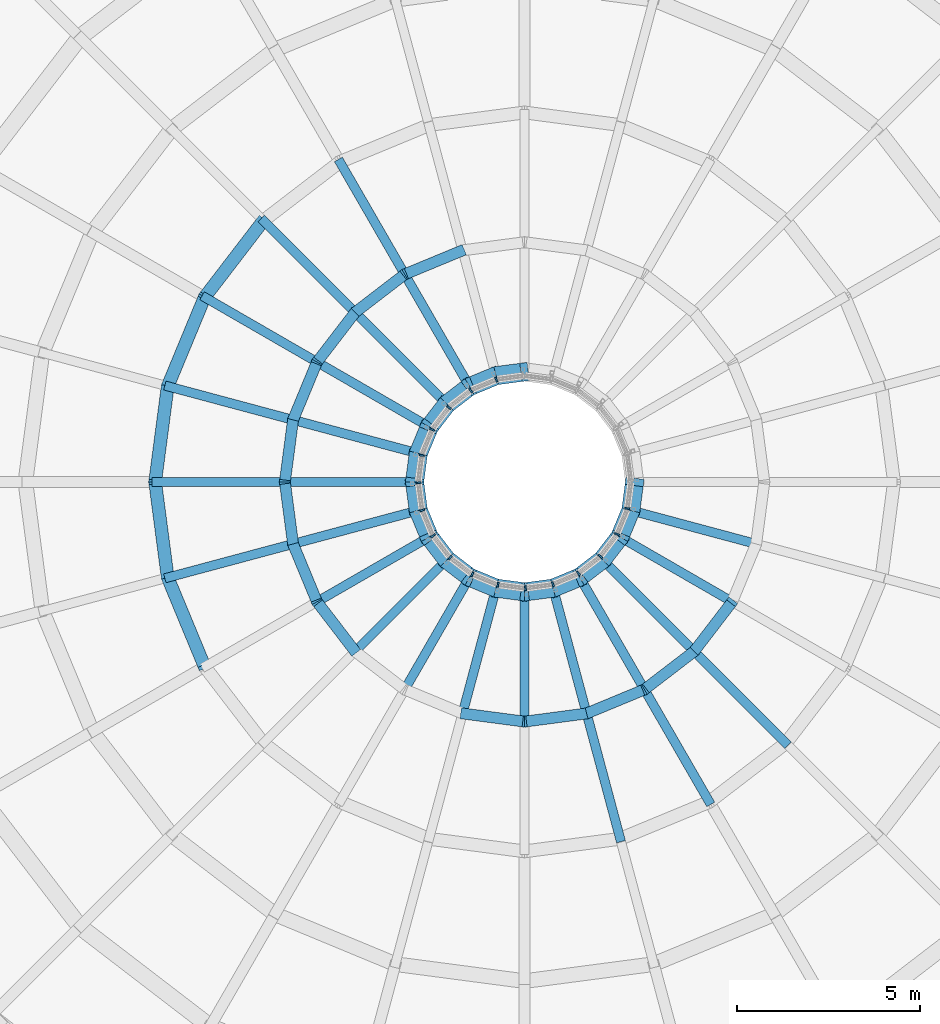
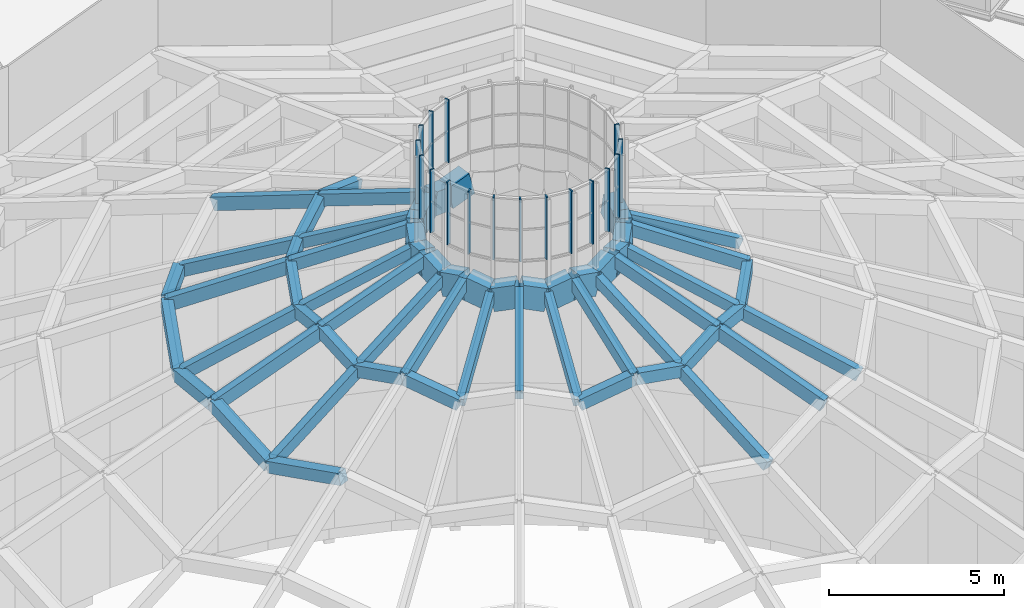
# One storey, part 12 of 82: 61 beams, 17 members, 17 elements without a shape of their own.
"""IFC4 building model written with IfcOpenShell, lengths in metres."""

from ifc_helpers import new_model, si_unit, direction, frame, origin, origin_2d, place, context, subcontext, project, spatial, rectangle, extrude, material, layer, layer_set, material_profile, profile_set, type_object, element, aggregate, save


model = new_model("IFC4")

# Units and contexts
model_context = context("Model", 3, precision=1e-05, world=origin(), true_north=direction((0.0, 1.0)))
body_context = subcontext(model_context, "Body", "Model", "MODEL_VIEW")
ifc_project = project(units=[si_unit("LENGTHUNIT", "METRE"), si_unit("AREAUNIT", "SQUARE_METRE"), si_unit("VOLUMEUNIT", "CUBIC_METRE"), si_unit("PLANEANGLEUNIT", "RADIAN"), si_unit("MASSUNIT", "GRAM", prefix="KILO")], contexts=[model_context])

# Site, building, storey
site_placement = place(None, origin())
site = spatial("IfcSite", under=ifc_project, at=site_placement, CompositionType="ELEMENT")
building_placement = place(site_placement, origin())
building = spatial("IfcBuilding", under=site, at=building_placement, Name="Volute Hill Aquarium", CompositionType="ELEMENT")
storey_placement = place(building_placement, frame((0.0, 0.0, 13.800048828125)))
storey = spatial("IfcBuildingStorey", under=building, at=storey_placement, Name="L04", CompositionType="ELEMENT", Elevation=13.800048828125)

# Curtain wall, member
ifc_material_1 = material(Name="Aluminium", Category="aluminium")
ifc_layer = layer(ifc_material_1, 0.139892578125)
ifc_layer_set = layer_set([ifc_layer], Name="Curtain wall DR lantern module 757")
curtain_wall_type = type_object("IfcCurtainWallType", Name="Curtain wall DR lantern module 757", PredefinedType="NOTDEFINED", material=ifc_layer_set)
curtain_wall_1_placement = place(storey_placement, origin())
curtain_wall_1 = element("IfcCurtainWall", 1, at=curtain_wall_1_placement, inside=storey, type_object=curtain_wall_type, Name="Curtain wall CW DR lantern l07", PredefinedType="NOTDEFINED")
ifc_material_2 = material(Name="Aluminium", Category="aluminium")
ifc_material_profile_1 = material_profile(ifc_material_2, rectangle(XDim=0.139892578125, YDim=0.050048828125, at=origin_2d()), Name="Curtain wall mullion lantern 50x140")
ifc_profile_set_1 = profile_set([ifc_material_profile_1], Name="Aluminium")
member_type = type_object("IfcMemberType", Name="Curtain wall mullion lantern 50x140", PredefinedType="MULLION", material=ifc_profile_set_1)
member_1_placement = place(storey_placement, frame((-0.773681640625, 2.791748046875, 25.16650390625), z_axis=(0.0, 0.0, 1.0), x_axis=(0.382682343719, -0.923879983442, 0.0)))
member_1 = element("IfcMember", 2, at=member_1_placement, type_object=member_type, Name="Mullion DR lantern 1", PredefinedType="MULLION", context=body_context, shape_type="SweptSolid", body=[
    extrude(rectangle(XDim=0.139892578125, YDim=0.050048828125, at=origin_2d()), origin(), (0.0, 0.0, 1.0), 2.199951171875),
])
aggregate(curtain_wall_1, [member_1])

curtain_wall_2_placement = place(storey_placement, origin())
curtain_wall_2 = element("IfcCurtainWall", 3, at=curtain_wall_2_placement, inside=storey, type_object=curtain_wall_type, Name="Curtain wall CW DR lantern l08", PredefinedType="NOTDEFINED")
member_2_placement = place(storey_placement, frame((-1.4697265625, 2.496337890625, 25.16650390625), z_axis=(0.0, 0.0, 1.0), x_axis=(0.608797519421, -0.79332564584, 0.0)))
member_2 = element("IfcMember", 4, at=member_2_placement, type_object=member_type, Name="Mullion DR lantern 1", PredefinedType="MULLION", context=body_context, shape_type="SweptSolid", body=[
    extrude(rectangle(XDim=0.139892578125, YDim=0.050048828125, at=origin_2d()), origin(), (0.0, 0.0, 1.0), 2.199951171875),
])
aggregate(curtain_wall_2, [member_2])

curtain_wall_3_placement = place(storey_placement, origin())
curtain_wall_3 = element("IfcCurtainWall", 5, at=curtain_wall_3_placement, inside=storey, type_object=curtain_wall_type, Name="Curtain wall CW DR lantern l09", PredefinedType="NOTDEFINED")
member_3_placement = place(storey_placement, frame((-2.06591796875, 2.03076171875, 25.16650390625), z_axis=(0.0, 0.0, 1.0), x_axis=(0.79332564584, -0.608797519421, 0.0)))
member_3 = element("IfcMember", 6, at=member_3_placement, type_object=member_type, Name="Mullion DR lantern 1", PredefinedType="MULLION", context=body_context, shape_type="SweptSolid", body=[
    extrude(rectangle(XDim=0.139892578125, YDim=0.050048828125, at=origin_2d()), origin(), (0.0, 0.0, 1.0), 2.199951171875),
])
aggregate(curtain_wall_3, [member_3])

curtain_wall_4_placement = place(storey_placement, origin())
curtain_wall_4 = element("IfcCurtainWall", 7, at=curtain_wall_4_placement, inside=storey, type_object=curtain_wall_type, Name="Curtain wall CW DR lantern l10", PredefinedType="NOTDEFINED")
member_4_placement = place(storey_placement, frame((-2.52099609375, 1.427001953125, 25.16650390625), z_axis=(0.0, 0.0, 1.0), x_axis=(0.923879983442, -0.382682343719, 0.0)))
member_4 = element("IfcMember", 8, at=member_4_placement, type_object=member_type, Name="Mullion DR lantern 1", PredefinedType="MULLION", context=body_context, shape_type="SweptSolid", body=[
    extrude(rectangle(XDim=0.139892578125, YDim=0.050048828125, at=origin_2d()), origin(), (0.0, 0.0, 1.0), 2.199951171875),
])
aggregate(curtain_wall_4, [member_4])

curtain_wall_5_placement = place(storey_placement, origin())
curtain_wall_5 = element("IfcCurtainWall", 9, at=curtain_wall_5_placement, inside=storey, type_object=curtain_wall_type, Name="Curtain wall CW DR lantern l11", PredefinedType="NOTDEFINED")
member_5_placement = place(storey_placement, frame((-2.804443359375, 0.725830078125, 25.16650390625), z_axis=(0.0, 0.0, 1.0), x_axis=(0.991448000232, -0.130502348011, 0.0)))
member_5 = element("IfcMember", 10, at=member_5_placement, type_object=member_type, Name="Mullion DR lantern 1", PredefinedType="MULLION", context=body_context, shape_type="SweptSolid", body=[
    extrude(rectangle(XDim=0.139892578125, YDim=0.050048828125, at=origin_2d()), origin(), (0.0, 0.0, 1.0), 2.199951171875),
])
aggregate(curtain_wall_5, [member_5])

curtain_wall_6_placement = place(storey_placement, origin())
curtain_wall_6 = element("IfcCurtainWall", 11, at=curtain_wall_6_placement, inside=storey, type_object=curtain_wall_type, Name="Curtain wall CW DR lantern l12", PredefinedType="NOTDEFINED")
member_6_placement = place(storey_placement, frame((-2.896728515625, -0.02490234375, 25.16650390625), z_axis=(0.0, 0.0, 1.0), x_axis=(0.991448000232, 0.130502348011, 0.0)))
member_6 = element("IfcMember", 12, at=member_6_placement, type_object=member_type, Name="Mullion DR lantern 1", PredefinedType="MULLION", context=body_context, shape_type="SweptSolid", body=[
    extrude(rectangle(XDim=0.139892578125, YDim=0.050048828125, at=origin_2d()), origin(), (0.0, 0.0, 1.0), 2.199951171875),
])
aggregate(curtain_wall_6, [member_6])

curtain_wall_7_placement = place(storey_placement, origin())
curtain_wall_7 = element("IfcCurtainWall", 13, at=curtain_wall_7_placement, inside=storey, type_object=curtain_wall_type, Name="Curtain wall CW DR lantern l13", PredefinedType="NOTDEFINED")
member_7_placement = place(storey_placement, frame((-2.791748046875, -0.773681640625, 25.16650390625), z_axis=(0.0, 0.0, 1.0), x_axis=(0.923879983442, 0.382682343719, 0.0)))
member_7 = element("IfcMember", 14, at=member_7_placement, type_object=member_type, Name="Mullion DR lantern 1", PredefinedType="MULLION", context=body_context, shape_type="SweptSolid", body=[
    extrude(rectangle(XDim=0.139892578125, YDim=0.050048828125, at=origin_2d()), origin(), (0.0, 0.0, 1.0), 2.199951171875),
])
aggregate(curtain_wall_7, [member_7])

curtain_wall_8_placement = place(storey_placement, origin())
curtain_wall_8 = element("IfcCurtainWall", 15, at=curtain_wall_8_placement, inside=storey, type_object=curtain_wall_type, Name="Curtain wall CW DR lantern l14", PredefinedType="NOTDEFINED")
member_8_placement = place(storey_placement, frame((-2.496337890625, -1.4697265625, 25.16650390625), z_axis=(0.0, 0.0, 1.0), x_axis=(0.79332564584, 0.608797519421, 0.0)))
member_8 = element("IfcMember", 16, at=member_8_placement, type_object=member_type, Name="Mullion DR lantern 1", PredefinedType="MULLION", context=body_context, shape_type="SweptSolid", body=[
    extrude(rectangle(XDim=0.139892578125, YDim=0.050048828125, at=origin_2d()), origin(), (0.0, 0.0, 1.0), 2.199951171875),
])
aggregate(curtain_wall_8, [member_8])

curtain_wall_9_placement = place(storey_placement, origin())
curtain_wall_9 = element("IfcCurtainWall", 17, at=curtain_wall_9_placement, inside=storey, type_object=curtain_wall_type, Name="Curtain wall CW DR lantern l15", PredefinedType="NOTDEFINED")
member_9_placement = place(storey_placement, frame((-2.03076171875, -2.06591796875, 25.16650390625), z_axis=(0.0, 0.0, 1.0), x_axis=(0.608797519421, 0.79332564584, 0.0)))
member_9 = element("IfcMember", 18, at=member_9_placement, type_object=member_type, Name="Mullion DR lantern 1", PredefinedType="MULLION", context=body_context, shape_type="SweptSolid", body=[
    extrude(rectangle(XDim=0.139892578125, YDim=0.050048828125, at=origin_2d()), origin(), (0.0, 0.0, 1.0), 2.199951171875),
])
aggregate(curtain_wall_9, [member_9])

curtain_wall_10_placement = place(storey_placement, origin())
curtain_wall_10 = element("IfcCurtainWall", 19, at=curtain_wall_10_placement, inside=storey, type_object=curtain_wall_type, Name="Curtain wall CW DR lantern l16", PredefinedType="NOTDEFINED")
member_10_placement = place(storey_placement, frame((-1.427001953125, -2.52099609375, 25.16650390625), z_axis=(0.0, 0.0, 1.0), x_axis=(0.382682343719, 0.923879983442, 0.0)))
member_10 = element("IfcMember", 20, at=member_10_placement, type_object=member_type, Name="Mullion DR lantern 1", PredefinedType="MULLION", context=body_context, shape_type="SweptSolid", body=[
    extrude(rectangle(XDim=0.139892578125, YDim=0.050048828125, at=origin_2d()), origin(), (0.0, 0.0, 1.0), 2.199951171875),
])
aggregate(curtain_wall_10, [member_10])

curtain_wall_11_placement = place(storey_placement, origin())
curtain_wall_11 = element("IfcCurtainWall", 21, at=curtain_wall_11_placement, inside=storey, type_object=curtain_wall_type, Name="Curtain wall CW DR lantern l17", PredefinedType="NOTDEFINED")
member_11_placement = place(storey_placement, frame((-0.725830078125, -2.804443359375, 25.16650390625), z_axis=(0.0, 0.0, 1.0), x_axis=(0.130502348011, 0.991448000232, 0.0)))
member_11 = element("IfcMember", 22, at=member_11_placement, type_object=member_type, Name="Mullion DR lantern 1", PredefinedType="MULLION", context=body_context, shape_type="SweptSolid", body=[
    extrude(rectangle(XDim=0.139892578125, YDim=0.050048828125, at=origin_2d()), origin(), (0.0, 0.0, 1.0), 2.199951171875),
])
aggregate(curtain_wall_11, [member_11])

curtain_wall_12_placement = place(storey_placement, origin())
curtain_wall_12 = element("IfcCurtainWall", 23, at=curtain_wall_12_placement, inside=storey, type_object=curtain_wall_type, Name="Curtain wall CW DR lantern l18", PredefinedType="NOTDEFINED")
member_12_placement = place(storey_placement, frame((0.02490234375, -2.896728515625, 25.16650390625), z_axis=(0.0, 0.0, 1.0), x_axis=(-0.130502348011, 0.991448000232, 0.0)))
member_12 = element("IfcMember", 24, at=member_12_placement, type_object=member_type, Name="Mullion DR lantern 1", PredefinedType="MULLION", context=body_context, shape_type="SweptSolid", body=[
    extrude(rectangle(XDim=0.139892578125, YDim=0.050048828125, at=origin_2d()), origin(), (0.0, 0.0, 1.0), 2.199951171875),
])
aggregate(curtain_wall_12, [member_12])

curtain_wall_13_placement = place(storey_placement, origin())
curtain_wall_13 = element("IfcCurtainWall", 25, at=curtain_wall_13_placement, inside=storey, type_object=curtain_wall_type, Name="Curtain wall CW DR lantern l19", PredefinedType="NOTDEFINED")
member_13_placement = place(storey_placement, frame((0.773681640625, -2.791748046875, 25.16650390625), z_axis=(0.0, 0.0, 1.0), x_axis=(-0.382682343719, 0.923879983442, 0.0)))
member_13 = element("IfcMember", 26, at=member_13_placement, type_object=member_type, Name="Mullion DR lantern 1", PredefinedType="MULLION", context=body_context, shape_type="SweptSolid", body=[
    extrude(rectangle(XDim=0.139892578125, YDim=0.050048828125, at=origin_2d()), origin(), (0.0, 0.0, 1.0), 2.199951171875),
])
aggregate(curtain_wall_13, [member_13])

curtain_wall_14_placement = place(storey_placement, origin())
curtain_wall_14 = element("IfcCurtainWall", 27, at=curtain_wall_14_placement, inside=storey, type_object=curtain_wall_type, Name="Curtain wall CW DR lantern l20", PredefinedType="NOTDEFINED")
member_14_placement = place(storey_placement, frame((1.4697265625, -2.496337890625, 25.16650390625), z_axis=(0.0, 0.0, 1.0), x_axis=(-0.608797519421, 0.79332564584, 0.0)))
member_14 = element("IfcMember", 28, at=member_14_placement, type_object=member_type, Name="Mullion DR lantern 1", PredefinedType="MULLION", context=body_context, shape_type="SweptSolid", body=[
    extrude(rectangle(XDim=0.139892578125, YDim=0.050048828125, at=origin_2d()), origin(), (0.0, 0.0, 1.0), 2.199951171875),
])
aggregate(curtain_wall_14, [member_14])

curtain_wall_15_placement = place(storey_placement, origin())
curtain_wall_15 = element("IfcCurtainWall", 29, at=curtain_wall_15_placement, inside=storey, type_object=curtain_wall_type, Name="Curtain wall CW DR lantern l21", PredefinedType="NOTDEFINED")
member_15_placement = place(storey_placement, frame((2.06591796875, -2.03076171875, 25.16650390625), z_axis=(0.0, 0.0, 1.0), x_axis=(-0.79332564584, 0.608797519421, 0.0)))
member_15 = element("IfcMember", 30, at=member_15_placement, type_object=member_type, Name="Mullion DR lantern 1", PredefinedType="MULLION", context=body_context, shape_type="SweptSolid", body=[
    extrude(rectangle(XDim=0.139892578125, YDim=0.050048828125, at=origin_2d()), origin(), (0.0, 0.0, 1.0), 2.199951171875),
])
aggregate(curtain_wall_15, [member_15])

curtain_wall_16_placement = place(storey_placement, origin())
curtain_wall_16 = element("IfcCurtainWall", 31, at=curtain_wall_16_placement, inside=storey, type_object=curtain_wall_type, Name="Curtain wall CW DR lantern l22", PredefinedType="NOTDEFINED")
member_16_placement = place(storey_placement, frame((2.52099609375, -1.427001953125, 25.16650390625), z_axis=(0.0, 0.0, 1.0), x_axis=(-0.923879983442, 0.382682343719, 0.0)))
member_16 = element("IfcMember", 32, at=member_16_placement, type_object=member_type, Name="Mullion DR lantern 1", PredefinedType="MULLION", context=body_context, shape_type="SweptSolid", body=[
    extrude(rectangle(XDim=0.139892578125, YDim=0.050048828125, at=origin_2d()), origin(), (0.0, 0.0, 1.0), 2.199951171875),
])
aggregate(curtain_wall_16, [member_16])

curtain_wall_17_placement = place(storey_placement, origin())
curtain_wall_17 = element("IfcCurtainWall", 33, at=curtain_wall_17_placement, inside=storey, type_object=curtain_wall_type, Name="Curtain wall CW DR lantern l23", PredefinedType="NOTDEFINED")
member_17_placement = place(storey_placement, frame((2.804443359375, -0.725830078125, 25.16650390625), z_axis=(0.0, 0.0, 1.0), x_axis=(-0.991448000232, 0.130502348011, 0.0)))
member_17 = element("IfcMember", 34, at=member_17_placement, type_object=member_type, Name="Mullion DR lantern 1", PredefinedType="MULLION", context=body_context, shape_type="SweptSolid", body=[
    extrude(rectangle(XDim=0.139892578125, YDim=0.050048828125, at=origin_2d()), origin(), (0.0, 0.0, 1.0), 2.199951171875),
])
aggregate(curtain_wall_17, [member_17])

# Beams
ifc_material_3 = material(Name="Concrete C40/50", Category="concrete")
ifc_material_profile_2 = material_profile(ifc_material_3, rectangle(XDim=0.5, YDim=0.800048828125, at=origin_2d()), Name="RC beam 500x800")
ifc_profile_set_2 = profile_set([ifc_material_profile_2], Name="Concrete C40/50")
beam_type_1 = type_object("IfcBeamType", Name="Dome shell crown compression ring 500x800", PredefinedType="BEAM", material=ifc_profile_set_2)
beam_1_placement = place(storey_placement, frame((0.0, 3.0, 24.1533203125), z_axis=(-0.959767304854, -0.126420151127, -0.250728271089), x_axis=(0.130591571678, -0.991436251812, 0.0)))
element("IfcBeam", 35, at=beam_1_placement, inside=storey, type_object=beam_type_1, Name="rb/DR/L04/crown.6", PredefinedType="BEAM", context=body_context, shape_type="SweptSolid", body=[
    extrude(rectangle(XDim=0.5, YDim=0.800048828125, at=origin_2d()), origin(), (0.0, 0.0, 1.0), 0.80908203125),
])
beam_2_placement = place(storey_placement, frame((-0.776611328125, 2.897705078125, 23.950439453125), z_axis=(-0.894376347876, -0.370367795762, 0.250835891017), x_axis=(0.382599649866, -0.923914231908, 0.0)))
element("IfcBeam", 36, at=beam_2_placement, inside=storey, type_object=beam_type_1, Name="rb/DR/L04/crown.7", PredefinedType="BEAM", context=body_context, shape_type="SweptSolid", body=[
    extrude(rectangle(XDim=0.5, YDim=0.800048828125, at=origin_2d()), origin(), (0.0, 0.0, 1.0), 0.808837890625),
])
for number, where, z_axis, x_axis, name in (
    (37, (-1.5, 2.59814453125, 24.1533203125), (-0.76798214033, -0.589339536371, -0.250763520084), (0.608791411033, -0.793330333374, 0.0), "rb/DR/L04/crown.8"),
    (38, (-2.121337890625, 2.121337890625, 23.950439453125), (-0.589339536371, -0.76798214033, 0.250763520084), (0.793330333374, -0.608791411033, 0.0), "rb/DR/L04/crown.9"),
):
    element("IfcBeam", number, at=place(storey_placement, frame(where, z_axis=z_axis, x_axis=x_axis)), inside=storey, type_object=beam_type_1, Name=name, PredefinedType="BEAM", context=body_context, shape_type="SweptSolid", body=[
        extrude(rectangle(XDim=0.5, YDim=0.800048828125, at=origin_2d()), origin(), (0.0, 0.0, 1.0), 0.80908203125),
    ])
beam_3_placement = place(storey_placement, frame((-2.59814453125, 1.5, 24.1533203125), z_axis=(-0.370367795762, -0.894376347876, -0.250835891017), x_axis=(0.923914231908, -0.382599649866, 0.0)))
element("IfcBeam", 39, at=beam_3_placement, inside=storey, type_object=beam_type_1, Name="rb/DR/L04/crown.10", PredefinedType="BEAM", context=body_context, shape_type="SweptSolid", body=[
    extrude(rectangle(XDim=0.5, YDim=0.800048828125, at=origin_2d()), origin(), (0.0, 0.0, 1.0), 0.808837890625),
])
for number, where, z_axis, x_axis, name in (
    (40, (-2.897705078125, 0.776611328125, 23.950439453125), (-0.126420151127, -0.959767304854, 0.250728271089), (0.991436251812, -0.130591571678, 0.0), "rb/DR/L04/crown.11"),
    (41, (-3.0, 0.0, 24.1533203125), (0.126420151127, -0.959767304854, -0.250728271089), (0.991436251812, 0.130591571678, 0.0), "rb/DR/L04/crown.12"),
):
    element("IfcBeam", number, at=place(storey_placement, frame(where, z_axis=z_axis, x_axis=x_axis)), inside=storey, type_object=beam_type_1, Name=name, PredefinedType="BEAM", context=body_context, shape_type="SweptSolid", body=[
        extrude(rectangle(XDim=0.5, YDim=0.800048828125, at=origin_2d()), origin(), (0.0, 0.0, 1.0), 0.80908203125),
    ])
beam_4_placement = place(storey_placement, frame((-2.897705078125, -0.776611328125, 23.950439453125), z_axis=(0.370367795762, -0.894376347876, 0.250835891017), x_axis=(0.923914231908, 0.382599649866, 0.0)))
element("IfcBeam", 42, at=beam_4_placement, inside=storey, type_object=beam_type_1, Name="rb/DR/L04/crown.13", PredefinedType="BEAM", context=body_context, shape_type="SweptSolid", body=[
    extrude(rectangle(XDim=0.5, YDim=0.800048828125, at=origin_2d()), origin(), (0.0, 0.0, 1.0), 0.808837890625),
])
for number, where, z_axis, x_axis, name in (
    (43, (-2.59814453125, -1.5, 24.1533203125), (0.589339536371, -0.76798214033, -0.250763520084), (0.793330333374, 0.608791411033, 0.0), "rb/DR/L04/crown.14"),
    (44, (-2.121337890625, -2.121337890625, 23.950439453125), (0.76798214033, -0.589339536371, 0.250763520084), (0.608791411033, 0.793330333374, 0.0), "rb/DR/L04/crown.15"),
):
    element("IfcBeam", number, at=place(storey_placement, frame(where, z_axis=z_axis, x_axis=x_axis)), inside=storey, type_object=beam_type_1, Name=name, PredefinedType="BEAM", context=body_context, shape_type="SweptSolid", body=[
        extrude(rectangle(XDim=0.5, YDim=0.800048828125, at=origin_2d()), origin(), (0.0, 0.0, 1.0), 0.80908203125),
    ])
beam_5_placement = place(storey_placement, frame((-1.5, -2.59814453125, 24.1533203125), z_axis=(0.894376347876, -0.370367795762, -0.250835891017), x_axis=(0.382599649866, 0.923914231908, 0.0)))
element("IfcBeam", 45, at=beam_5_placement, inside=storey, type_object=beam_type_1, Name="rb/DR/L04/crown.16", PredefinedType="BEAM", context=body_context, shape_type="SweptSolid", body=[
    extrude(rectangle(XDim=0.5, YDim=0.800048828125, at=origin_2d()), origin(), (0.0, 0.0, 1.0), 0.808837890625),
])
for number, where, z_axis, x_axis, name in (
    (46, (-0.776611328125, -2.897705078125, 23.950439453125), (0.959767304854, -0.126420151127, 0.250728271089), (0.130591571678, 0.991436251812, 0.0), "rb/DR/L04/crown.17"),
    (47, (0.0, -3.0, 24.1533203125), (0.959767304854, 0.126420151127, -0.250728271089), (-0.130591571678, 0.991436251812, 0.0), "rb/DR/L04/crown.18"),
):
    element("IfcBeam", number, at=place(storey_placement, frame(where, z_axis=z_axis, x_axis=x_axis)), inside=storey, type_object=beam_type_1, Name=name, PredefinedType="BEAM", context=body_context, shape_type="SweptSolid", body=[
        extrude(rectangle(XDim=0.5, YDim=0.800048828125, at=origin_2d()), origin(), (0.0, 0.0, 1.0), 0.80908203125),
    ])
beam_6_placement = place(storey_placement, frame((0.776611328125, -2.897705078125, 23.950439453125), z_axis=(0.894376347876, 0.370367795762, 0.250835891017), x_axis=(-0.382599649866, 0.923914231908, 0.0)))
element("IfcBeam", 48, at=beam_6_placement, inside=storey, type_object=beam_type_1, Name="rb/DR/L04/crown.19", PredefinedType="BEAM", context=body_context, shape_type="SweptSolid", body=[
    extrude(rectangle(XDim=0.5, YDim=0.800048828125, at=origin_2d()), origin(), (0.0, 0.0, 1.0), 0.808837890625),
])
for number, where, z_axis, x_axis, name in (
    (49, (1.5, -2.59814453125, 24.1533203125), (0.76798214033, 0.589339536371, -0.250763520084), (-0.608791411033, 0.793330333374, 0.0), "rb/DR/L04/crown.20"),
    (50, (2.121337890625, -2.121337890625, 23.950439453125), (0.589339536371, 0.76798214033, 0.250763520084), (-0.793330333374, 0.608791411033, 0.0), "rb/DR/L04/crown.21"),
):
    element("IfcBeam", number, at=place(storey_placement, frame(where, z_axis=z_axis, x_axis=x_axis)), inside=storey, type_object=beam_type_1, Name=name, PredefinedType="BEAM", context=body_context, shape_type="SweptSolid", body=[
        extrude(rectangle(XDim=0.5, YDim=0.800048828125, at=origin_2d()), origin(), (0.0, 0.0, 1.0), 0.80908203125),
    ])
beam_7_placement = place(storey_placement, frame((2.59814453125, -1.5, 24.1533203125), z_axis=(0.370367795762, 0.894376347876, -0.250835891017), x_axis=(-0.923914231908, 0.382599649866, 0.0)))
element("IfcBeam", 51, at=beam_7_placement, inside=storey, type_object=beam_type_1, Name="rb/DR/L04/crown.22", PredefinedType="BEAM", context=body_context, shape_type="SweptSolid", body=[
    extrude(rectangle(XDim=0.5, YDim=0.800048828125, at=origin_2d()), origin(), (0.0, 0.0, 1.0), 0.808837890625),
])
beam_8_placement = place(storey_placement, frame((2.897705078125, -0.776611328125, 23.950439453125), z_axis=(0.126420151127, 0.959767304854, 0.250728271089), x_axis=(-0.991436251812, 0.130591571678, 0.0)))
element("IfcBeam", 52, at=beam_8_placement, inside=storey, type_object=beam_type_1, Name="rb/DR/L04/crown.23", PredefinedType="BEAM", context=body_context, shape_type="SweptSolid", body=[
    extrude(rectangle(XDim=0.5, YDim=0.800048828125, at=origin_2d()), origin(), (0.0, 0.0, 1.0), 0.80908203125),
])
ifc_material_4 = material(Name="Concrete C40/50", Category="concrete")
ifc_material_profile_3 = material_profile(ifc_material_4, rectangle(XDim=0.25, YDim=0.39990234375, at=origin_2d()), Name="RC rib 250x400")
ifc_profile_set_3 = profile_set([ifc_material_profile_3], Name="Concrete C40/50")
beam_type_2 = type_object("IfcBeamType", Name="Dome shell ridge rib 250x400", PredefinedType="BEAM", material=ifc_profile_set_3)
for number, where, z_axis, x_axis, name in (
    (53, (-3.27001953125, 5.663818359375, 23.033203125), (0.468478276806, -0.81145928469, 0.349373630161), (0.866033703443, 0.499985624295, 0.0), "rb/DR/L04/ridge4.8"),
    (54, (-5.663818359375, 3.27001953125, 23.033203125), (0.81145928469, -0.468478276806, 0.349373630161), (0.499985624295, 0.866033703443, 0.0), "rb/DR/L04/ridge4.10"),
    (55, (-6.5400390625, 0.0, 23.033203125), (0.936988418272, 0.0, 0.349360421376), (0.0, 1.0, 0.0), "rb/DR/L04/ridge4.12"),
    (56, (-5.663818359375, -3.27001953125, 23.033203125), (0.81145928469, 0.468478276806, 0.349373630161), (-0.499985624295, 0.866033703443, 0.0), "rb/DR/L04/ridge4.14"),
    (57, (-3.27001953125, -5.663818359375, 23.033203125), (0.468478276806, 0.81145928469, 0.349373630161), (-0.866033703443, 0.499985624295, 0.0), "rb/DR/L04/ridge4.16"),
    (58, (0.0, -6.5400390625, 23.033203125), (0.0, 0.936988418272, 0.349360421376), (-1.0, 0.0, 0.0), "rb/DR/L04/ridge4.18"),
    (59, (3.27001953125, -5.663818359375, 23.033203125), (-0.468478276806, 0.81145928469, 0.349373630161), (-0.866033703443, -0.499985624295, 0.0), "rb/DR/L04/ridge4.20"),
    (60, (5.663818359375, -3.27001953125, 23.033203125), (-0.81145928469, 0.468478276806, 0.349373630161), (-0.499985624295, -0.866033703443, 0.0), "rb/DR/L04/ridge4.22"),
):
    element("IfcBeam", number, at=place(storey_placement, frame(where, z_axis=z_axis, x_axis=x_axis)), inside=storey, type_object=beam_type_2, Name=name, PredefinedType="BEAM", context=body_context, shape_type="SweptSolid", body=[
        extrude(rectangle(XDim=0.25, YDim=0.39990234375, at=origin_2d()), origin(), (0.0, 0.0, 1.0), 3.628173828125),
    ])
ifc_material_5 = material(Name="Concrete C40/50", Category="concrete")
ifc_material_profile_4 = material_profile(ifc_material_5, rectangle(XDim=0.25, YDim=0.449951171875, at=origin_2d()), Name="RC rib 250x450")
ifc_profile_set_4 = profile_set([ifc_material_profile_4], Name="Concrete C40/50")
beam_type_3 = type_object("IfcBeamType", Name="Dome shell ridge rib 250x450", PredefinedType="BEAM", material=ifc_profile_set_4)
for number, where, z_axis, x_axis, name in (
    (61, (-5.0400390625, 8.7294921875, 21.663818359375), (0.467539824873, -0.80977897668, 0.354491919631), (0.866019052629, 0.500011000363, 0.0), "rb/DR/L04/ridge3.8"),
    (62, (-8.7294921875, 5.0400390625, 21.663818359375), (0.80977897668, -0.467539824873, 0.354491919631), (0.500011000363, 0.866019052629, 0.0), "rb/DR/L04/ridge3.10"),
    (63, (-10.080078125, 0.0, 21.663818359375), (0.935061662861, 0.0, 0.354485100741), (0.0, 1.0, 0.0), "rb/DR/L04/ridge3.12"),
    (64, (5.0400390625, -8.7294921875, 21.663818359375), (-0.467539824873, 0.80977897668, 0.354491919631), (-0.866019052629, -0.500011000363, 0.0), "rb/DR/L04/ridge3.20"),
):
    element("IfcBeam", number, at=place(storey_placement, frame(where, z_axis=z_axis, x_axis=x_axis)), inside=storey, type_object=beam_type_3, Name=name, PredefinedType="BEAM", context=body_context, shape_type="SweptSolid", body=[
        extrude(rectangle(XDim=0.25, YDim=0.449951171875, at=origin_2d()), origin(), (0.0, 0.0, 1.0), 3.785888671875),
    ])
ifc_material_6 = material(Name="Concrete C40/50", Category="concrete")
ifc_material_profile_5 = material_profile(ifc_material_6, rectangle(XDim=0.300048828125, YDim=0.39990234375, at=origin_2d()), Name="RC beam 300x400")
ifc_profile_set_5 = profile_set([ifc_material_profile_5], Name="Concrete C40/50")
beam_type_4 = type_object("IfcBeamType", Name="Dome shell ring beam 300x400", PredefinedType="BEAM", material=ifc_profile_set_5)
for number, where, z_axis, x_axis, name in (
    (65, (-1.692626953125, 6.317138671875, 22.59765625), (-0.894357009115, -0.370422435597, 0.250824160427), (0.382654892735, -0.923891353497, 0.0), "rb/DR/L04/ring4.7"),
    (66, (-3.27001953125, 5.663818359375, 23.0400390625), (-0.767999094937, -0.589288418736, -0.250831715938), (0.608749716606, -0.793362327397, 0.0), "rb/DR/L04/ring4.8"),
    (67, (-4.62451171875, 4.62451171875, 22.59765625), (-0.589288418736, -0.767999094937, 0.250831715938), (0.793362327397, -0.608749716606, 0.0), "rb/DR/L04/ring4.9"),
    (68, (-5.663818359375, 3.27001953125, 23.0400390625), (-0.370422435597, -0.894357009115, -0.250824160427), (0.923891353497, -0.382654892735, 0.0), "rb/DR/L04/ring4.10"),
    (69, (-6.317138671875, 1.692626953125, 22.59765625), (-0.126387633805, -0.959743116288, 0.250837231604), (0.991440174393, -0.130561788435, 0.0), "rb/DR/L04/ring4.11"),
    (70, (-6.5400390625, 0.0, 23.0400390625), (0.126387633805, -0.959743116288, -0.250837231604), (0.991440174393, 0.130561788435, 0.0), "rb/DR/L04/ring4.12"),
    (71, (-6.317138671875, -1.692626953125, 22.59765625), (0.370422435597, -0.894357009115, 0.250824160427), (0.923891353497, 0.382654892735, 0.0), "rb/DR/L04/ring4.13"),
    (72, (-5.663818359375, -3.27001953125, 23.0400390625), (0.589288418736, -0.767999094937, -0.250831715938), (0.793362327397, 0.608749716606, 0.0), "rb/DR/L04/ring4.14"),
    (73, (-1.692626953125, -6.317138671875, 22.59765625), (0.959743116288, -0.126387633805, 0.250837231604), (0.130561788435, 0.991440174393, 0.0), "rb/DR/L04/ring4.17"),
    (74, (0.0, -6.5400390625, 23.0400390625), (0.959743116288, 0.126387633805, -0.250837231604), (-0.130561788435, 0.991440174393, 0.0), "rb/DR/L04/ring4.18"),
    (75, (1.692626953125, -6.317138671875, 22.59765625), (0.894357009115, 0.370422435597, 0.250824160427), (-0.382654892735, 0.923891353497, 0.0), "rb/DR/L04/ring4.19"),
    (76, (3.27001953125, -5.663818359375, 23.0400390625), (0.767999094937, 0.589288418736, -0.250831715938), (-0.608749716606, 0.793362327397, 0.0), "rb/DR/L04/ring4.20"),
    (77, (4.62451171875, -4.62451171875, 22.59765625), (0.589288418736, 0.767999094937, 0.250831715938), (-0.793362327397, 0.608749716606, 0.0), "rb/DR/L04/ring4.21"),
):
    element("IfcBeam", number, at=place(storey_placement, frame(where, z_axis=z_axis, x_axis=x_axis)), inside=storey, type_object=beam_type_4, Name=name, PredefinedType="BEAM", context=body_context, shape_type="SweptSolid", body=[
        extrude(rectangle(XDim=0.300048828125, YDim=0.39990234375, at=origin_2d()), origin(), (0.0, 0.0, 1.0), 1.763671875),
    ])
ifc_material_7 = material(Name="Concrete C40/50", Category="concrete")
ifc_material_profile_6 = material_profile(ifc_material_7, rectangle(XDim=0.35009765625, YDim=0.39990234375, at=origin_2d()), Name="RC beam 350x400")
ifc_profile_set_6 = profile_set([ifc_material_profile_6], Name="Concrete C40/50")
beam_type_5 = type_object("IfcBeamType", Name="Dome shell ring beam 350x400", PredefinedType="BEAM", material=ifc_profile_set_6)
for number, where, z_axis, x_axis, name in (
    (78, (-7.127685546875, 7.127685546875, 21.01611328125), (-0.589286477993, -0.768021440835, 0.250767847364), (0.793371849725, -0.608737306285, 0.0), "rb/DR/L04/ring3.9"),
    (79, (-8.7294921875, 5.0400390625, 21.69775390625), (-0.370476790218, -0.894353424726, -0.250756654131), (0.923870959733, -0.382704128228, 0.0), "rb/DR/L04/ring3.10"),
    (80, (-9.736572265625, 2.60888671875, 21.01611328125), (-0.126369906297, -0.959764618825, 0.250763879446), (0.991442923275, -0.130540912694, 0.0), "rb/DR/L04/ring3.11"),
    (81, (-10.080078125, 0.0, 21.69775390625), (0.126369906297, -0.959764618825, -0.250763879446), (0.991442923275, 0.130540912694, 0.0), "rb/DR/L04/ring3.12"),
    (82, (-9.736572265625, -2.60888671875, 21.01611328125), (0.370476790218, -0.894353424726, 0.250756654131), (0.923870959733, 0.382704128228, 0.0), "rb/DR/L04/ring3.13"),
):
    element("IfcBeam", number, at=place(storey_placement, frame(where, z_axis=z_axis, x_axis=x_axis)), inside=storey, type_object=beam_type_5, Name=name, PredefinedType="BEAM", context=body_context, shape_type="SweptSolid", body=[
        extrude(rectangle(XDim=0.35009765625, YDim=0.39990234375, at=origin_2d()), origin(), (0.0, 0.0, 1.0), 2.71826171875),
    ])
ifc_material_8 = material(Name="Concrete C40/50", Category="concrete")
ifc_material_profile_7 = material_profile(ifc_material_8, rectangle(XDim=0.25, YDim=0.35009765625, at=origin_2d()), Name="RC rib 250x350")
ifc_profile_set_7 = profile_set([ifc_material_profile_7], Name="Concrete C40/50")
beam_type_6 = type_object("IfcBeamType", Name="Dome shell valley rib 250x350", PredefinedType="BEAM", material=ifc_profile_set_7)
for number, where, z_axis, x_axis, name in (
    (83, (-4.62451171875, 4.62451171875, 22.613037109375), (0.647109757651, -0.647109757651, 0.403110311335), (0.707106781187, 0.707106781187, 0.0), "rb/DR/L04/valley4.9"),
    (84, (-6.317138671875, 1.692626953125, 22.613037109375), (0.883981663698, -0.236805597758, 0.403112300874), (0.258761365236, 0.965941279717, 0.0), "rb/DR/L04/valley4.11"),
    (85, (-6.317138671875, -1.692626953125, 22.613037109375), (0.883981663698, 0.236805597758, 0.403112300874), (-0.258761365236, 0.965941279717, 0.0), "rb/DR/L04/valley4.13"),
    (86, (-4.62451171875, -4.62451171875, 22.613037109375), (0.647109757651, 0.647109757651, 0.403110311335), (-0.707106781187, 0.707106781187, 0.0), "rb/DR/L04/valley4.15"),
    (87, (-1.692626953125, -6.317138671875, 22.613037109375), (0.236805597758, 0.883981663698, 0.403112300874), (-0.965941279717, 0.258761365236, 0.0), "rb/DR/L04/valley4.17"),
    (88, (1.692626953125, -6.317138671875, 22.613037109375), (-0.236805597758, 0.883981663698, 0.403112300874), (-0.965941279717, -0.258761365236, 0.0), "rb/DR/L04/valley4.19"),
    (89, (4.62451171875, -4.62451171875, 22.613037109375), (-0.647109757651, 0.647109757651, 0.403110311335), (-0.707106781187, -0.707106781187, 0.0), "rb/DR/L04/valley4.21"),
    (90, (6.317138671875, -1.692626953125, 22.613037109375), (-0.883981663698, 0.236805597758, 0.403112300874), (-0.258761365236, -0.965941279717, 0.0), "rb/DR/L04/valley4.23"),
):
    element("IfcBeam", number, at=place(storey_placement, frame(where, z_axis=z_axis, x_axis=x_axis)), inside=storey, type_object=beam_type_6, Name=name, PredefinedType="BEAM", context=body_context, shape_type="SweptSolid", body=[
        extrude(rectangle(XDim=0.25, YDim=0.35009765625, at=origin_2d()), origin(), (0.0, 0.0, 1.0), 3.8681640625),
    ])
ifc_material_9 = material(Name="Concrete C40/50", Category="concrete")
ifc_material_profile_8 = material_profile(ifc_material_9, rectangle(XDim=0.25, YDim=0.39990234375, at=origin_2d()), Name="RC rib 250x400")
ifc_profile_set_8 = profile_set([ifc_material_profile_8], Name="Concrete C40/50")
beam_type_7 = type_object("IfcBeamType", Name="Dome shell valley rib 250x400", PredefinedType="BEAM", material=ifc_profile_set_8)
for number, where, z_axis, x_axis, name in (
    (91, (-7.127685546875, 7.127685546875, 21.003662109375), (0.645606140124, -0.645606140124, 0.407903694111), (0.707106781187, 0.707106781187, 0.0), "rb/DR/L04/valley3.9"),
    (92, (-9.736572265625, 2.60888671875, 21.003662109375), (0.881914511416, -0.236314805179, 0.407899629084), (0.258825711959, 0.965924039886, 0.0), "rb/DR/L04/valley3.11"),
    (93, (-9.736572265625, -2.60888671875, 21.003662109375), (0.881914511416, 0.236314805179, 0.407899629084), (-0.258825711959, 0.965924039886, 0.0), "rb/DR/L04/valley3.13"),
    (94, (2.60888671875, -9.736572265625, 21.003662109375), (-0.236314805179, 0.881914511416, 0.407899629084), (-0.965924039886, -0.258825711959, 0.0), "rb/DR/L04/valley3.19"),
    (95, (7.127685546875, -7.127685546875, 21.003662109375), (-0.645606140124, 0.645606140124, 0.407903694111), (-0.707106781187, -0.707106781187, 0.0), "rb/DR/L04/valley3.21"),
):
    element("IfcBeam", number, at=place(storey_placement, frame(where, z_axis=z_axis, x_axis=x_axis)), inside=storey, type_object=beam_type_7, Name=name, PredefinedType="BEAM", context=body_context, shape_type="SweptSolid", body=[
        extrude(rectangle(XDim=0.25, YDim=0.39990234375, at=origin_2d()), origin(), (0.0, 0.0, 1.0), 3.877197265625),
    ])

save(model, "model.ifc")
